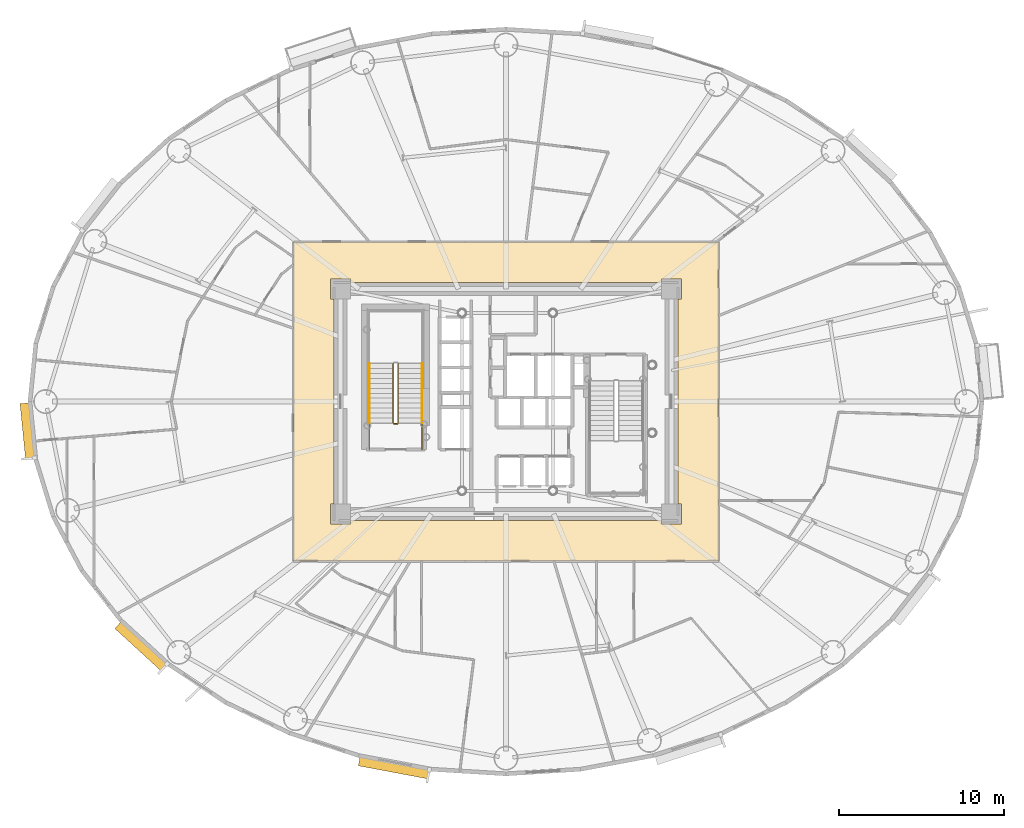
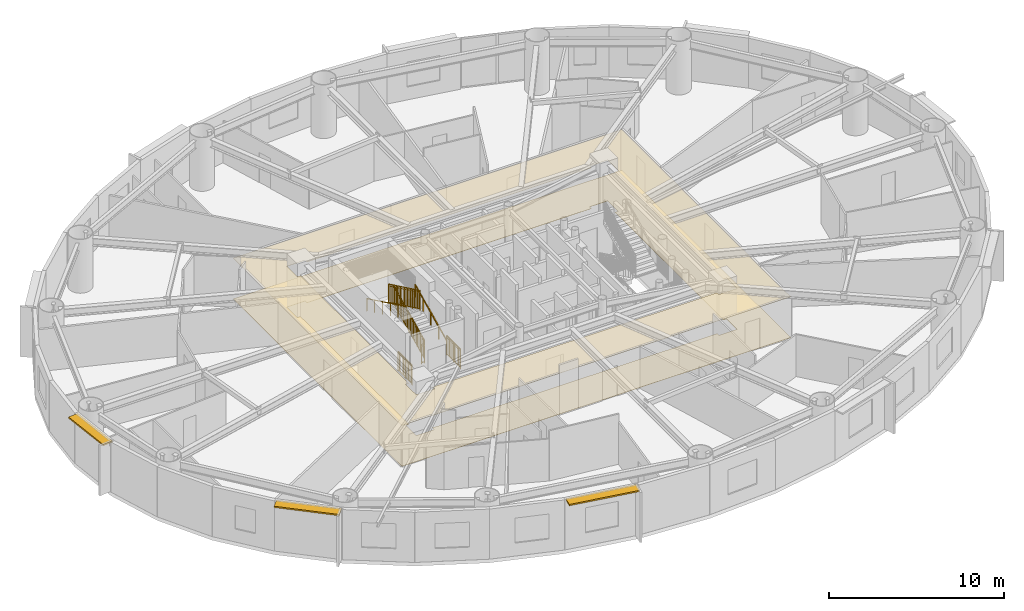
# One storey, part 16 of 21: 7 railings, 3 shading devices, 2 coverings.
"""IFC4 building model written with IfcOpenShell, lengths in metres."""

from ifc_helpers import new_model, si_unit, direction, frame, origin, origin_2d, place, context, subcontext, project, spatial, polyline, rectangle, outline, extrude, source, transform, mapped, material, layer, layer_set, type_object, element, save


model = new_model("IFC4")

# Units and contexts
model_context = context("Model", 3, precision=1e-05, world=origin(), true_north=direction((0.0, 1.0)))
body_context = subcontext(model_context, "Body", "Model", "MODEL_VIEW")
ifc_project = project(units=[si_unit("LENGTHUNIT", "METRE"), si_unit("AREAUNIT", "SQUARE_METRE"), si_unit("VOLUMEUNIT", "CUBIC_METRE"), si_unit("PLANEANGLEUNIT", "RADIAN"), si_unit("MASSUNIT", "GRAM", prefix="KILO")], contexts=[model_context])

# Site, building, storey
site_placement = place(None, origin())
site = spatial("IfcSite", under=ifc_project, at=site_placement, CompositionType="ELEMENT")
building_placement = place(site_placement, origin())
building = spatial("IfcBuilding", under=site, at=building_placement, Name="Linh Dai School and Residence Tower", CompositionType="ELEMENT")
storey_placement = place(building_placement, frame((0.0, 0.0, 97.199951171875)))
storey = spatial("IfcBuildingStorey", under=building, at=storey_placement, Name="L22", CompositionType="ELEMENT", Elevation=97.199951171875)

# Coverings
ifc_material_1 = material(Name="Mineral Fibre Acoustic Suspended Ceiling", Category="masonry")
ifc_layer_1 = layer(ifc_material_1, 0.02001953125)
ifc_layer_set_1 = layer_set([ifc_layer_1], Name="Mineral Fibre Acoustic Suspended Ceiling")
covering_type_1 = type_object("IfcCoveringType", Name="COV-CEIL-AC-20", PredefinedType="CEILING", material=ifc_layer_set_1)
covering_1_placement = place(storey_placement, frame((0.0, 0.0, 2.85009765625)))
element("IfcCovering", 1, at=covering_1_placement, inside=storey, type_object=covering_type_1, Name="L22 Residential Floor Corridor Suspended Ceiling", PredefinedType="CEILING", context=body_context, shape_type="SweptSolid", body=[
    extrude(outline(polyline([(48.85009765625, 36.64990234375), (48.85009765625, 17.35009765625), (23.14990234375, 17.35009765625), (23.14990234375, 36.64990234375), (48.85009765625, 36.64990234375)]), holes=[polyline([(26.60009765625, 34.199951171875), (26.60009765625, 34.39990234375), (25.39990234375, 34.39990234375), (25.39990234375, 33.199951171875), (25.60009765625, 33.199951171875), (25.60009765625, 20.800048828125), (25.39990234375, 20.800048828125), (25.39990234375, 19.60009765625), (26.60009765625, 19.60009765625), (26.60009765625, 19.800048828125), (45.39990234375, 19.800048828125), (45.39990234375, 19.60009765625), (46.60009765625, 19.60009765625), (46.60009765625, 20.800048828125), (46.39990234375, 20.800048828125), (46.39990234375, 33.199951171875), (46.60009765625, 33.199951171875), (46.60009765625, 34.39990234375), (45.39990234375, 34.39990234375), (45.39990234375, 34.199951171875), (26.60009765625, 34.199951171875)])]), origin(), (0.0, 0.0, 1.0), 0.02001953125),
])
ifc_material_2 = material(Name="Polished Terrazzo Floor Finish", Category="masonry")
ifc_layer_2 = layer(ifc_material_2, 0.02490234375)
ifc_layer_set_2 = layer_set([ifc_layer_2], Name="Polished Terrazzo Floor Finish")
covering_type_2 = type_object("IfcCoveringType", Name="COV-FLR-TRZ-25", PredefinedType="FLOORING", material=ifc_layer_set_2)
covering_2_placement = place(storey_placement, origin())
element("IfcCovering", 2, at=covering_2_placement, inside=storey, type_object=covering_type_2, Name="L22 Residential Floor Corridor Floor Finish", PredefinedType="FLOORING", context=body_context, shape_type="SweptSolid", body=[
    extrude(outline(polyline([(48.85009765625, 36.64990234375), (48.85009765625, 17.35009765625), (23.14990234375, 17.35009765625), (23.14990234375, 36.64990234375), (48.85009765625, 36.64990234375)]), holes=[polyline([(26.60009765625, 34.199951171875), (26.60009765625, 34.39990234375), (25.39990234375, 34.39990234375), (25.39990234375, 33.199951171875), (25.60009765625, 33.199951171875), (25.60009765625, 20.800048828125), (25.39990234375, 20.800048828125), (25.39990234375, 19.60009765625), (26.60009765625, 19.60009765625), (26.60009765625, 19.800048828125), (45.39990234375, 19.800048828125), (45.39990234375, 19.60009765625), (46.60009765625, 19.60009765625), (46.60009765625, 20.800048828125), (46.39990234375, 20.800048828125), (46.39990234375, 33.199951171875), (46.60009765625, 33.199951171875), (46.60009765625, 34.39990234375), (45.39990234375, 34.39990234375), (45.39990234375, 34.199951171875), (26.60009765625, 34.199951171875)])]), origin(), (0.0, 0.0, 1.0), 0.02001953125),
])

# Shading devices
ifc_material_3 = material(Name="Terracotta Ceramic Sunshade", Category="masonry")
ifc_layer_3 = layer(ifc_material_3, 0.10009765625)
ifc_layer_set_3 = layer_set([ifc_layer_3], Name="Terracotta Ceramic Sunshade")
shading_device_type = type_object("IfcShadingDeviceType", Name="SHD-TC-650", PredefinedType="USERDEFINED", material=ifc_layer_set_3)
shared_shape_1 = source(origin(), body_context, "Body", "SweptSolid", [
    extrude(rectangle(XDim=3.3916015625, YDim=0.64990234375, at=origin_2d()), origin(), (0.0, 0.0, 1.0), 0.10009765625),
])
shading_device_1_placement = place(storey_placement, frame((7.1181640625, 25.2138671875, 3.3798828125), z_axis=(0.0, 0.0, 1.0), x_axis=(-0.100007297192, 0.994986703684, 0.0)))
element("IfcShadingDevice", 3, at=shading_device_1_placement, inside=storey, type_object=shading_device_type, Name="L22 Terracotta Horizontal Sunshade Band 21", ObjectType="SUNSHADE", PredefinedType="USERDEFINED", context=body_context, shape_type="MappedRepresentation", body=[
    mapped(shared_shape_1, transform((0.0, 0.0, 0.0), x_axis=(1.0, 0.0, 0.0), y_axis=(0.0, 1.0, 0.0), z_axis=(0.0, 0.0, 1.0), scale=1.0)),
])
shared_shape_2 = source(origin(), body_context, "Body", "SweptSolid", [
    extrude(rectangle(XDim=3.81689453125, YDim=0.64990234375, at=origin_2d()), origin(), (0.0, 0.0, 1.0), 0.10009765625),
])
shading_device_2_placement = place(storey_placement, frame((13.983642578125, 12.22998046875, 3.3798828125), z_axis=(0.0, 0.0, 1.0), x_axis=(-0.737100266172, 0.675783395482, 0.0)))
element("IfcShadingDevice", 4, at=shading_device_2_placement, inside=storey, type_object=shading_device_type, Name="L22 Terracotta Horizontal Sunshade Band 25", ObjectType="SUNSHADE", PredefinedType="USERDEFINED", context=body_context, shape_type="MappedRepresentation", body=[
    mapped(shared_shape_2, transform((0.0, 0.0, 0.0), x_axis=(1.0, 0.0, 0.0), y_axis=(0.0, 1.0, 0.0), z_axis=(0.0, 0.0, 1.0), scale=1.0)),
])
shared_shape_3 = source(origin(), body_context, "Body", "SweptSolid", [
    extrude(rectangle(XDim=4.292236328125, YDim=0.64990234375, at=origin_2d()), origin(), (0.0, 0.0, 1.0), 0.10009765625),
])
shading_device_3_placement = place(storey_placement, frame((29.24462890625, 4.905517578125, 3.3798828125), z_axis=(0.0, 0.0, 1.0), x_axis=(-0.982784673718, 0.18475466193, 0.0)))
element("IfcShadingDevice", 5, at=shading_device_3_placement, inside=storey, type_object=shading_device_type, Name="L22 Terracotta Horizontal Sunshade Band 29", ObjectType="SUNSHADE", PredefinedType="USERDEFINED", context=body_context, shape_type="MappedRepresentation", body=[
    mapped(shared_shape_3, transform((0.0, 0.0, 0.0), x_axis=(1.0, 0.0, 0.0), y_axis=(0.0, 1.0, 0.0), z_axis=(0.0, 0.0, 1.0), scale=1.0)),
])

# Railings
ifc_material_4 = material(Name="Structural Steel S355JR", Category="steel")
railing_type_1 = type_object("IfcRailingType", Name="RL-ST-GUARD-1400", PredefinedType="GUARDRAIL", material=ifc_material_4)
shared_shape_4 = source(origin(), body_context, "Body", "SweptSolid", [
    extrude(rectangle(XDim=0.048095703125, YDim=0.048095703125, at=origin_2d()), frame((0.0, 0.0, 1.3759765625), z_axis=(-1.0, 0.0, 0.0), x_axis=(0.0, -1.0, 0.0)), (0.0, 0.0, 1.0), 0.199951171875),
    extrude(rectangle(XDim=0.048095703125, YDim=0.048095703125, at=origin_2d()), frame((0.0, 0.0, 0.10009765625), z_axis=(-1.0, 0.0, 0.0), x_axis=(0.0, -1.0, 0.0)), (0.0, 0.0, 1.0), 0.199951171875),
    extrude(rectangle(XDim=0.030029296875, YDim=0.030029296875, at=origin_2d()), frame((0.0, 0.0, 1.239990234375), z_axis=(-1.0, 0.0, 0.0), x_axis=(0.0, -1.0, 0.0)), (0.0, 0.0, 1.0), 0.199951171875),
    extrude(rectangle(XDim=0.0419921875, YDim=0.0419921875, at=origin_2d()), origin(), (0.0, 0.0, 1.0), 1.3759765625),
    extrude(rectangle(XDim=0.0419921875, YDim=0.0419921875, at=origin_2d()), frame((-0.199951171875, 0.0, 0.0)), (0.0, 0.0, 1.0), 1.3759765625),
])
railing_1_placement = place(storey_placement, frame((29.429931640625, 25.64990234375, 0.0)))
element("IfcRailing", 6, at=railing_1_placement, inside=storey, type_object=railing_type_1, Name="L22 ST1 stair guard 7", PredefinedType="GUARDRAIL", context=body_context, shape_type="MappedRepresentation", body=[
    mapped(shared_shape_4, transform((0.0, 0.0, 0.0), x_axis=(1.0, 0.0, 0.0), y_axis=(0.0, 1.0, 0.0), z_axis=(0.0, 0.0, 1.0), scale=1.0)),
])
shared_shape_5 = source(origin(), body_context, "Body", "SweptSolid", [
    extrude(rectangle(XDim=0.048095703125, YDim=0.048095703125, at=origin_2d()), frame((0.0, 0.0, 1.3759765625), z_axis=(0.0, 1.0, 0.0), x_axis=(-1.0, 0.0, 0.0)), (0.0, 0.0, 1.0), 1.599853515625),
    extrude(rectangle(XDim=0.048095703125, YDim=0.048095703125, at=origin_2d()), frame((0.0, 0.0, 0.10009765625), z_axis=(0.0, 1.0, 0.0), x_axis=(-1.0, 0.0, 0.0)), (0.0, 0.0, 1.0), 1.599853515625),
    extrude(rectangle(XDim=0.030029296875, YDim=0.030029296875, at=origin_2d()), frame((0.0, 0.0, 1.239990234375), z_axis=(0.0, 1.0, 0.0), x_axis=(-1.0, 0.0, 0.0)), (0.0, 0.0, 1.0), 1.599853515625),
    extrude(rectangle(XDim=0.02001953125, YDim=0.02001953125, at=origin_2d()), frame((0.0, 0.093994140625, 0.10009765625)), (0.0, 0.0, 1.0), 1.251708984375),
    extrude(rectangle(XDim=0.02001953125, YDim=0.02001953125, at=origin_2d()), frame((0.0, 0.188232421875, 0.10009765625)), (0.0, 0.0, 1.0), 1.251708984375),
    extrude(rectangle(XDim=0.02001953125, YDim=0.02001953125, at=origin_2d()), frame((0.0, 0.2822265625, 0.10009765625)), (0.0, 0.0, 1.0), 1.251708984375),
    extrude(rectangle(XDim=0.02001953125, YDim=0.02001953125, at=origin_2d()), frame((0.0, 0.37646484375, 0.10009765625)), (0.0, 0.0, 1.0), 1.251708984375),
    extrude(rectangle(XDim=0.02001953125, YDim=0.02001953125, at=origin_2d()), frame((0.0, 0.470458984375, 0.10009765625)), (0.0, 0.0, 1.0), 1.251708984375),
    extrude(rectangle(XDim=0.02001953125, YDim=0.02001953125, at=origin_2d()), frame((0.0, 0.564697265625, 0.10009765625)), (0.0, 0.0, 1.0), 1.251708984375),
    extrude(rectangle(XDim=0.02001953125, YDim=0.02001953125, at=origin_2d()), frame((0.0, 0.65869140625, 0.10009765625)), (0.0, 0.0, 1.0), 1.251708984375),
    extrude(rectangle(XDim=0.02001953125, YDim=0.02001953125, at=origin_2d()), frame((0.0, 0.7529296875, 0.10009765625)), (0.0, 0.0, 1.0), 1.251708984375),
    extrude(rectangle(XDim=0.02001953125, YDim=0.02001953125, at=origin_2d()), frame((0.0, 0.846923828125, 0.10009765625)), (0.0, 0.0, 1.0), 1.251708984375),
    extrude(rectangle(XDim=0.02001953125, YDim=0.02001953125, at=origin_2d()), frame((0.0, 0.941162109375, 0.10009765625)), (0.0, 0.0, 1.0), 1.251708984375),
    extrude(rectangle(XDim=0.02001953125, YDim=0.02001953125, at=origin_2d()), frame((0.0, 1.03515625, 0.10009765625)), (0.0, 0.0, 1.0), 1.251708984375),
    extrude(rectangle(XDim=0.02001953125, YDim=0.02001953125, at=origin_2d()), frame((0.0, 1.12939453125, 0.10009765625)), (0.0, 0.0, 1.0), 1.251708984375),
    extrude(rectangle(XDim=0.02001953125, YDim=0.02001953125, at=origin_2d()), frame((0.0, 1.223388671875, 0.10009765625)), (0.0, 0.0, 1.0), 1.251708984375),
    extrude(rectangle(XDim=0.02001953125, YDim=0.02001953125, at=origin_2d()), frame((0.0, 1.317626953125, 0.10009765625)), (0.0, 0.0, 1.0), 1.251708984375),
    extrude(rectangle(XDim=0.02001953125, YDim=0.02001953125, at=origin_2d()), frame((0.0, 1.41162109375, 0.10009765625)), (0.0, 0.0, 1.0), 1.251708984375),
    extrude(rectangle(XDim=0.02001953125, YDim=0.02001953125, at=origin_2d()), frame((0.0, 1.505859375, 0.10009765625)), (0.0, 0.0, 1.0), 1.251708984375),
    extrude(rectangle(XDim=0.0419921875, YDim=0.0419921875, at=origin_2d()), origin(), (0.0, 0.0, 1.0), 1.3759765625),
    extrude(rectangle(XDim=0.0419921875, YDim=0.0419921875, at=origin_2d()), frame((0.0, 0.7998046875, 0.0)), (0.0, 0.0, 1.0), 1.3759765625),
    extrude(rectangle(XDim=0.0419921875, YDim=0.0419921875, at=origin_2d()), frame((0.0, 1.599853515625, 0.0)), (0.0, 0.0, 1.0), 1.3759765625),
])
for number, where, name in (
    (7, (30.929931640625, 24.10009765625, 0.0), "L22 ST1 stair guard 8"),
    (8, (27.72998046875, 24.10009765625, 0.0), "L22 ST1 stair guard 9"),
):
    element("IfcRailing", number, at=place(storey_placement, frame(where)), inside=storey, type_object=railing_type_1, Name=name, PredefinedType="GUARDRAIL", context=body_context, shape_type="MappedRepresentation", body=[
        mapped(shared_shape_5, transform((0.0, 0.0, 0.0), x_axis=(1.0, 0.0, 0.0), y_axis=(0.0, 1.0, 0.0), z_axis=(0.0, 0.0, 1.0), scale=1.0)),
    ])
shared_shape_6 = source(origin(), body_context, "Body", "SweptSolid", [
    extrude(rectangle(XDim=0.048095703125, YDim=0.048095703125, at=origin_2d()), frame((0.0, 0.0, 1.3759765625), z_axis=(0.0, 0.901262522062, 0.433273431364), x_axis=(-1.0, 0.0, 0.0)), (0.0, 0.0, 1.0), 3.994384765625),
    extrude(rectangle(XDim=0.048095703125, YDim=0.048095703125, at=origin_2d()), frame((0.0, 0.0, 0.10009765625), z_axis=(0.0, 0.901262522062, 0.433273431364), x_axis=(-1.0, 0.0, 0.0)), (0.0, 0.0, 1.0), 3.994384765625),
    extrude(rectangle(XDim=0.030029296875, YDim=0.030029296875, at=origin_2d()), frame((0.0, 0.0, 1.239990234375), z_axis=(0.0, 0.901262522062, 0.433273431364), x_axis=(-1.0, 0.0, 0.0)), (0.0, 0.0, 1.0), 3.994384765625),
    extrude(rectangle(XDim=0.02001953125, YDim=0.02001953125, at=origin_2d()), frame((0.0, 0.087890625, 0.142333984375)), (0.0, 0.0, 1.0), 1.251708984375),
    extrude(rectangle(XDim=0.02001953125, YDim=0.02001953125, at=origin_2d()), frame((0.0, 0.175537109375, 0.1845703125)), (0.0, 0.0, 1.0), 1.251708984375),
    extrude(rectangle(XDim=0.02001953125, YDim=0.02001953125, at=origin_2d()), frame((0.0, 0.263427734375, 0.226806640625)), (0.0, 0.0, 1.0), 1.251708984375),
    extrude(rectangle(XDim=0.02001953125, YDim=0.02001953125, at=origin_2d()), frame((0.0, 0.351318359375, 0.26904296875)), (0.0, 0.0, 1.0), 1.251708984375),
    extrude(rectangle(XDim=0.02001953125, YDim=0.02001953125, at=origin_2d()), frame((0.0, 0.43896484375, 0.311279296875)), (0.0, 0.0, 1.0), 1.251708984375),
    extrude(rectangle(XDim=0.02001953125, YDim=0.02001953125, at=origin_2d()), frame((0.0, 0.52685546875, 0.353271484375)), (0.0, 0.0, 1.0), 1.251708984375),
    extrude(rectangle(XDim=0.02001953125, YDim=0.02001953125, at=origin_2d()), frame((0.0, 0.61474609375, 0.3955078125)), (0.0, 0.0, 1.0), 1.251708984375),
    extrude(rectangle(XDim=0.02001953125, YDim=0.02001953125, at=origin_2d()), frame((0.0, 0.702392578125, 0.437744140625)), (0.0, 0.0, 1.0), 1.251708984375),
    extrude(rectangle(XDim=0.02001953125, YDim=0.02001953125, at=origin_2d()), frame((0.0, 0.790283203125, 0.47998046875)), (0.0, 0.0, 1.0), 1.251708984375),
    extrude(rectangle(XDim=0.02001953125, YDim=0.02001953125, at=origin_2d()), frame((0.0, 0.9658203125, 0.564453125)), (0.0, 0.0, 1.0), 1.251708984375),
    extrude(rectangle(XDim=0.02001953125, YDim=0.02001953125, at=origin_2d()), frame((0.0, 1.0537109375, 0.606689453125)), (0.0, 0.0, 1.0), 1.251708984375),
    extrude(rectangle(XDim=0.02001953125, YDim=0.02001953125, at=origin_2d()), frame((0.0, 1.1416015625, 0.64892578125)), (0.0, 0.0, 1.0), 1.251708984375),
    extrude(rectangle(XDim=0.02001953125, YDim=0.02001953125, at=origin_2d()), frame((0.0, 1.229248046875, 0.691162109375)), (0.0, 0.0, 1.0), 1.251708984375),
    extrude(rectangle(XDim=0.02001953125, YDim=0.02001953125, at=origin_2d()), frame((0.0, 1.317138671875, 0.7333984375)), (0.0, 0.0, 1.0), 1.251708984375),
    extrude(rectangle(XDim=0.02001953125, YDim=0.02001953125, at=origin_2d()), frame((0.0, 1.405029296875, 0.775390625)), (0.0, 0.0, 1.0), 1.251708984375),
    extrude(rectangle(XDim=0.02001953125, YDim=0.02001953125, at=origin_2d()), frame((0.0, 1.49267578125, 0.817626953125)), (0.0, 0.0, 1.0), 1.251708984375),
    extrude(rectangle(XDim=0.02001953125, YDim=0.02001953125, at=origin_2d()), frame((0.0, 1.58056640625, 0.85986328125)), (0.0, 0.0, 1.0), 1.251708984375),
    extrude(rectangle(XDim=0.02001953125, YDim=0.02001953125, at=origin_2d()), frame((0.0, 1.66845703125, 0.902099609375)), (0.0, 0.0, 1.0), 1.251708984375),
    extrude(rectangle(XDim=0.02001953125, YDim=0.02001953125, at=origin_2d()), frame((0.0, 1.756103515625, 0.9443359375)), (0.0, 0.0, 1.0), 1.251708984375),
    extrude(rectangle(XDim=0.02001953125, YDim=0.02001953125, at=origin_2d()), frame((0.0, 1.843994140625, 0.986572265625)), (0.0, 0.0, 1.0), 1.251708984375),
    extrude(rectangle(XDim=0.02001953125, YDim=0.02001953125, at=origin_2d()), frame((0.0, 1.931640625, 1.02880859375)), (0.0, 0.0, 1.0), 1.251708984375),
    extrude(rectangle(XDim=0.02001953125, YDim=0.02001953125, at=origin_2d()), frame((0.0, 2.01953125, 1.071044921875)), (0.0, 0.0, 1.0), 1.251708984375),
    extrude(rectangle(XDim=0.02001953125, YDim=0.02001953125, at=origin_2d()), frame((0.0, 2.107421875, 1.11328125)), (0.0, 0.0, 1.0), 1.251708984375),
    extrude(rectangle(XDim=0.02001953125, YDim=0.02001953125, at=origin_2d()), frame((0.0, 2.195068359375, 1.155517578125)), (0.0, 0.0, 1.0), 1.251708984375),
    extrude(rectangle(XDim=0.02001953125, YDim=0.02001953125, at=origin_2d()), frame((0.0, 2.282958984375, 1.197509765625)), (0.0, 0.0, 1.0), 1.251708984375),
    extrude(rectangle(XDim=0.02001953125, YDim=0.02001953125, at=origin_2d()), frame((0.0, 2.370849609375, 1.23974609375)), (0.0, 0.0, 1.0), 1.251708984375),
    extrude(rectangle(XDim=0.02001953125, YDim=0.02001953125, at=origin_2d()), frame((0.0, 2.45849609375, 1.281982421875)), (0.0, 0.0, 1.0), 1.251708984375),
    extrude(rectangle(XDim=0.02001953125, YDim=0.02001953125, at=origin_2d()), frame((0.0, 2.54638671875, 1.32421875)), (0.0, 0.0, 1.0), 1.251708984375),
    extrude(rectangle(XDim=0.02001953125, YDim=0.02001953125, at=origin_2d()), frame((0.0, 2.63427734375, 1.366455078125)), (0.0, 0.0, 1.0), 1.251708984375),
    extrude(rectangle(XDim=0.02001953125, YDim=0.02001953125, at=origin_2d()), frame((0.0, 2.809814453125, 1.450927734375)), (0.0, 0.0, 1.0), 1.251708984375),
    extrude(rectangle(XDim=0.02001953125, YDim=0.02001953125, at=origin_2d()), frame((0.0, 2.897705078125, 1.4931640625)), (0.0, 0.0, 1.0), 1.251708984375),
    extrude(rectangle(XDim=0.02001953125, YDim=0.02001953125, at=origin_2d()), frame((0.0, 2.9853515625, 1.535400390625)), (0.0, 0.0, 1.0), 1.251708984375),
    extrude(rectangle(XDim=0.02001953125, YDim=0.02001953125, at=origin_2d()), frame((0.0, 3.0732421875, 1.57763671875)), (0.0, 0.0, 1.0), 1.251708984375),
    extrude(rectangle(XDim=0.02001953125, YDim=0.02001953125, at=origin_2d()), frame((0.0, 3.1611328125, 1.61962890625)), (0.0, 0.0, 1.0), 1.251708984375),
    extrude(rectangle(XDim=0.02001953125, YDim=0.02001953125, at=origin_2d()), frame((0.0, 3.248779296875, 1.661865234375)), (0.0, 0.0, 1.0), 1.251708984375),
    extrude(rectangle(XDim=0.02001953125, YDim=0.02001953125, at=origin_2d()), frame((0.0, 3.336669921875, 1.7041015625)), (0.0, 0.0, 1.0), 1.251708984375),
    extrude(rectangle(XDim=0.02001953125, YDim=0.02001953125, at=origin_2d()), frame((0.0, 3.424560546875, 1.746337890625)), (0.0, 0.0, 1.0), 1.251708984375),
    extrude(rectangle(XDim=0.02001953125, YDim=0.02001953125, at=origin_2d()), frame((0.0, 3.51220703125, 1.78857421875)), (0.0, 0.0, 1.0), 1.251708984375),
    extrude(rectangle(XDim=0.0419921875, YDim=0.0419921875, at=origin_2d()), origin(), (0.0, 0.0, 1.0), 1.3759765625),
    extrude(rectangle(XDim=0.0419921875, YDim=0.0419921875, at=origin_2d()), frame((0.0, 0.89990234375, 0.4326171875)), (0.0, 0.0, 1.0), 1.3759765625),
    extrude(rectangle(XDim=0.0419921875, YDim=0.0419921875, at=origin_2d()), frame((0.0, 1.800048828125, 0.865234375)), (0.0, 0.0, 1.0), 1.3759765625),
    extrude(rectangle(XDim=0.0419921875, YDim=0.0419921875, at=origin_2d()), frame((0.0, 2.7001953125, 1.298095703125)), (0.0, 0.0, 1.0), 1.3759765625),
    extrude(rectangle(XDim=0.0419921875, YDim=0.0419921875, at=origin_2d()), frame((0.0, 3.60009765625, 1.730712890625)), (0.0, 0.0, 1.0), 1.3759765625),
])
railing_2_placement = place(storey_placement, frame((29.47998046875, 25.699951171875, 0.144287109375)))
element("IfcRailing", 9, at=railing_2_placement, inside=storey, type_object=railing_type_1, Name="L22 ST1 stair guard 1", PredefinedType="GUARDRAIL", context=body_context, shape_type="MappedRepresentation", body=[
    mapped(shared_shape_6, transform((0.0, 0.0, 0.0), x_axis=(1.0, 0.0, 0.0), y_axis=(0.0, 1.0, 0.0), z_axis=(0.0, 0.0, 1.0), scale=1.0)),
])
shared_shape_7 = source(origin(), body_context, "Body", "SweptSolid", [
    extrude(rectangle(XDim=0.048095703125, YDim=0.048095703125, at=origin_2d()), frame((0.0, 0.0, 1.3759765625), z_axis=(0.0, -0.901262522062, 0.433273431364), x_axis=(1.0, 0.0, 0.0)), (0.0, 0.0, 1.0), 3.994384765625),
    extrude(rectangle(XDim=0.048095703125, YDim=0.048095703125, at=origin_2d()), frame((0.0, 0.0, 0.10009765625), z_axis=(0.0, -0.901262522062, 0.433273431364), x_axis=(1.0, 0.0, 0.0)), (0.0, 0.0, 1.0), 3.994384765625),
    extrude(rectangle(XDim=0.030029296875, YDim=0.030029296875, at=origin_2d()), frame((0.0, 0.0, 1.239990234375), z_axis=(0.0, -0.901262522062, 0.433273431364), x_axis=(1.0, 0.0, 0.0)), (0.0, 0.0, 1.0), 3.994384765625),
    extrude(rectangle(XDim=0.02001953125, YDim=0.02001953125, at=origin_2d()), frame((0.0, -0.087890625, 0.142333984375)), (0.0, 0.0, 1.0), 1.251708984375),
    extrude(rectangle(XDim=0.02001953125, YDim=0.02001953125, at=origin_2d()), frame((0.0, -0.175537109375, 0.1845703125)), (0.0, 0.0, 1.0), 1.251708984375),
    extrude(rectangle(XDim=0.02001953125, YDim=0.02001953125, at=origin_2d()), frame((0.0, -0.263427734375, 0.226806640625)), (0.0, 0.0, 1.0), 1.251708984375),
    extrude(rectangle(XDim=0.02001953125, YDim=0.02001953125, at=origin_2d()), frame((0.0, -0.351318359375, 0.26904296875)), (0.0, 0.0, 1.0), 1.251708984375),
    extrude(rectangle(XDim=0.02001953125, YDim=0.02001953125, at=origin_2d()), frame((0.0, -0.43896484375, 0.311279296875)), (0.0, 0.0, 1.0), 1.251708984375),
    extrude(rectangle(XDim=0.02001953125, YDim=0.02001953125, at=origin_2d()), frame((0.0, -0.52685546875, 0.353271484375)), (0.0, 0.0, 1.0), 1.251708984375),
    extrude(rectangle(XDim=0.02001953125, YDim=0.02001953125, at=origin_2d()), frame((0.0, -0.61474609375, 0.3955078125)), (0.0, 0.0, 1.0), 1.251708984375),
    extrude(rectangle(XDim=0.02001953125, YDim=0.02001953125, at=origin_2d()), frame((0.0, -0.702392578125, 0.437744140625)), (0.0, 0.0, 1.0), 1.251708984375),
    extrude(rectangle(XDim=0.02001953125, YDim=0.02001953125, at=origin_2d()), frame((0.0, -0.790283203125, 0.47998046875)), (0.0, 0.0, 1.0), 1.251708984375),
    extrude(rectangle(XDim=0.02001953125, YDim=0.02001953125, at=origin_2d()), frame((0.0, -0.9658203125, 0.564453125)), (0.0, 0.0, 1.0), 1.251708984375),
    extrude(rectangle(XDim=0.02001953125, YDim=0.02001953125, at=origin_2d()), frame((0.0, -1.0537109375, 0.606689453125)), (0.0, 0.0, 1.0), 1.251708984375),
    extrude(rectangle(XDim=0.02001953125, YDim=0.02001953125, at=origin_2d()), frame((0.0, -1.1416015625, 0.64892578125)), (0.0, 0.0, 1.0), 1.251708984375),
    extrude(rectangle(XDim=0.02001953125, YDim=0.02001953125, at=origin_2d()), frame((0.0, -1.229248046875, 0.691162109375)), (0.0, 0.0, 1.0), 1.251708984375),
    extrude(rectangle(XDim=0.02001953125, YDim=0.02001953125, at=origin_2d()), frame((0.0, -1.317138671875, 0.7333984375)), (0.0, 0.0, 1.0), 1.251708984375),
    extrude(rectangle(XDim=0.02001953125, YDim=0.02001953125, at=origin_2d()), frame((0.0, -1.405029296875, 0.775390625)), (0.0, 0.0, 1.0), 1.251708984375),
    extrude(rectangle(XDim=0.02001953125, YDim=0.02001953125, at=origin_2d()), frame((0.0, -1.49267578125, 0.817626953125)), (0.0, 0.0, 1.0), 1.251708984375),
    extrude(rectangle(XDim=0.02001953125, YDim=0.02001953125, at=origin_2d()), frame((0.0, -1.58056640625, 0.85986328125)), (0.0, 0.0, 1.0), 1.251708984375),
    extrude(rectangle(XDim=0.02001953125, YDim=0.02001953125, at=origin_2d()), frame((0.0, -1.66845703125, 0.902099609375)), (0.0, 0.0, 1.0), 1.251708984375),
    extrude(rectangle(XDim=0.02001953125, YDim=0.02001953125, at=origin_2d()), frame((0.0, -1.756103515625, 0.9443359375)), (0.0, 0.0, 1.0), 1.251708984375),
    extrude(rectangle(XDim=0.02001953125, YDim=0.02001953125, at=origin_2d()), frame((0.0, -1.843994140625, 0.986572265625)), (0.0, 0.0, 1.0), 1.251708984375),
    extrude(rectangle(XDim=0.02001953125, YDim=0.02001953125, at=origin_2d()), frame((0.0, -1.931640625, 1.02880859375)), (0.0, 0.0, 1.0), 1.251708984375),
    extrude(rectangle(XDim=0.02001953125, YDim=0.02001953125, at=origin_2d()), frame((0.0, -2.01953125, 1.071044921875)), (0.0, 0.0, 1.0), 1.251708984375),
    extrude(rectangle(XDim=0.02001953125, YDim=0.02001953125, at=origin_2d()), frame((0.0, -2.107421875, 1.11328125)), (0.0, 0.0, 1.0), 1.251708984375),
    extrude(rectangle(XDim=0.02001953125, YDim=0.02001953125, at=origin_2d()), frame((0.0, -2.195068359375, 1.155517578125)), (0.0, 0.0, 1.0), 1.251708984375),
    extrude(rectangle(XDim=0.02001953125, YDim=0.02001953125, at=origin_2d()), frame((0.0, -2.282958984375, 1.197509765625)), (0.0, 0.0, 1.0), 1.251708984375),
    extrude(rectangle(XDim=0.02001953125, YDim=0.02001953125, at=origin_2d()), frame((0.0, -2.370849609375, 1.23974609375)), (0.0, 0.0, 1.0), 1.251708984375),
    extrude(rectangle(XDim=0.02001953125, YDim=0.02001953125, at=origin_2d()), frame((0.0, -2.45849609375, 1.281982421875)), (0.0, 0.0, 1.0), 1.251708984375),
    extrude(rectangle(XDim=0.02001953125, YDim=0.02001953125, at=origin_2d()), frame((0.0, -2.54638671875, 1.32421875)), (0.0, 0.0, 1.0), 1.251708984375),
    extrude(rectangle(XDim=0.02001953125, YDim=0.02001953125, at=origin_2d()), frame((0.0, -2.63427734375, 1.366455078125)), (0.0, 0.0, 1.0), 1.251708984375),
    extrude(rectangle(XDim=0.02001953125, YDim=0.02001953125, at=origin_2d()), frame((0.0, -2.809814453125, 1.450927734375)), (0.0, 0.0, 1.0), 1.251708984375),
    extrude(rectangle(XDim=0.02001953125, YDim=0.02001953125, at=origin_2d()), frame((0.0, -2.897705078125, 1.4931640625)), (0.0, 0.0, 1.0), 1.251708984375),
    extrude(rectangle(XDim=0.02001953125, YDim=0.02001953125, at=origin_2d()), frame((0.0, -2.9853515625, 1.535400390625)), (0.0, 0.0, 1.0), 1.251708984375),
    extrude(rectangle(XDim=0.02001953125, YDim=0.02001953125, at=origin_2d()), frame((0.0, -3.0732421875, 1.57763671875)), (0.0, 0.0, 1.0), 1.251708984375),
    extrude(rectangle(XDim=0.02001953125, YDim=0.02001953125, at=origin_2d()), frame((0.0, -3.1611328125, 1.61962890625)), (0.0, 0.0, 1.0), 1.251708984375),
    extrude(rectangle(XDim=0.02001953125, YDim=0.02001953125, at=origin_2d()), frame((0.0, -3.248779296875, 1.661865234375)), (0.0, 0.0, 1.0), 1.251708984375),
    extrude(rectangle(XDim=0.02001953125, YDim=0.02001953125, at=origin_2d()), frame((0.0, -3.336669921875, 1.7041015625)), (0.0, 0.0, 1.0), 1.251708984375),
    extrude(rectangle(XDim=0.02001953125, YDim=0.02001953125, at=origin_2d()), frame((0.0, -3.424560546875, 1.746337890625)), (0.0, 0.0, 1.0), 1.251708984375),
    extrude(rectangle(XDim=0.02001953125, YDim=0.02001953125, at=origin_2d()), frame((0.0, -3.51220703125, 1.78857421875)), (0.0, 0.0, 1.0), 1.251708984375),
    extrude(rectangle(XDim=0.0419921875, YDim=0.0419921875, at=origin_2d()), origin(), (0.0, 0.0, 1.0), 1.3759765625),
    extrude(rectangle(XDim=0.0419921875, YDim=0.0419921875, at=origin_2d()), frame((0.0, -0.89990234375, 0.4326171875)), (0.0, 0.0, 1.0), 1.3759765625),
    extrude(rectangle(XDim=0.0419921875, YDim=0.0419921875, at=origin_2d()), frame((0.0, -1.800048828125, 0.865234375)), (0.0, 0.0, 1.0), 1.3759765625),
    extrude(rectangle(XDim=0.0419921875, YDim=0.0419921875, at=origin_2d()), frame((0.0, -2.7001953125, 1.298095703125)), (0.0, 0.0, 1.0), 1.3759765625),
    extrude(rectangle(XDim=0.0419921875, YDim=0.0419921875, at=origin_2d()), frame((0.0, -3.60009765625, 1.730712890625)), (0.0, 0.0, 1.0), 1.3759765625),
])
railing_3_placement = place(storey_placement, frame((29.179931640625, 29.300048828125, 2.019287109375)))
element("IfcRailing", 10, at=railing_3_placement, inside=storey, type_object=railing_type_1, Name="L22 ST1 stair guard 6", PredefinedType="GUARDRAIL", context=body_context, shape_type="MappedRepresentation", body=[
    mapped(shared_shape_7, transform((0.0, 0.0, 0.0), x_axis=(1.0, 0.0, 0.0), y_axis=(0.0, 1.0, 0.0), z_axis=(0.0, 0.0, 1.0), scale=1.0)),
])
ifc_material_5 = material(Name="Brushed Stainless Steel Handrail", Category="steel")
railing_type_2 = type_object("IfcRailingType", Name="RL-ST-HANDRAIL-900", PredefinedType="HANDRAIL", material=ifc_material_5)
shared_shape_8 = source(origin(), body_context, "Body", "SweptSolid", [
    extrude(rectangle(XDim=0.048095703125, YDim=0.048095703125, at=origin_2d()), frame((0.0, 0.0, 0.8759765625), z_axis=(0.0, 0.901262522062, 0.433273431364), x_axis=(-1.0, 0.0, 0.0)), (0.0, 0.0, 1.0), 3.994384765625),
    extrude(rectangle(XDim=0.0419921875, YDim=0.0419921875, at=origin_2d()), origin(), (0.0, 0.0, 1.0), 0.8759765625),
    extrude(rectangle(XDim=0.0419921875, YDim=0.0419921875, at=origin_2d()), frame((0.0, 0.89990234375, 0.4326171875)), (0.0, 0.0, 1.0), 0.8759765625),
    extrude(rectangle(XDim=0.0419921875, YDim=0.0419921875, at=origin_2d()), frame((0.0, 1.800048828125, 0.865234375)), (0.0, 0.0, 1.0), 0.8759765625),
    extrude(rectangle(XDim=0.0419921875, YDim=0.0419921875, at=origin_2d()), frame((0.0, 2.7001953125, 1.298095703125)), (0.0, 0.0, 1.0), 0.8759765625),
    extrude(rectangle(XDim=0.0419921875, YDim=0.0419921875, at=origin_2d()), frame((0.0, 3.60009765625, 1.730712890625)), (0.0, 0.0, 1.0), 0.8759765625),
])
railing_4_placement = place(storey_placement, frame((30.929931640625, 25.699951171875, 0.144287109375)))
element("IfcRailing", 11, at=railing_4_placement, inside=storey, type_object=railing_type_2, Name="L22 ST1 stair handrail 1", PredefinedType="HANDRAIL", context=body_context, shape_type="MappedRepresentation", body=[
    mapped(shared_shape_8, transform((0.0, 0.0, 0.0), x_axis=(1.0, 0.0, 0.0), y_axis=(0.0, 1.0, 0.0), z_axis=(0.0, 0.0, 1.0), scale=1.0)),
])
shared_shape_9 = source(origin(), body_context, "Body", "SweptSolid", [
    extrude(rectangle(XDim=0.048095703125, YDim=0.048095703125, at=origin_2d()), frame((0.0, 0.0, 0.8759765625), z_axis=(0.0, -0.901262522062, 0.433273431364), x_axis=(1.0, 0.0, 0.0)), (0.0, 0.0, 1.0), 3.994384765625),
    extrude(rectangle(XDim=0.0419921875, YDim=0.0419921875, at=origin_2d()), origin(), (0.0, 0.0, 1.0), 0.8759765625),
    extrude(rectangle(XDim=0.0419921875, YDim=0.0419921875, at=origin_2d()), frame((0.0, -0.89990234375, 0.4326171875)), (0.0, 0.0, 1.0), 0.8759765625),
    extrude(rectangle(XDim=0.0419921875, YDim=0.0419921875, at=origin_2d()), frame((0.0, -1.800048828125, 0.865234375)), (0.0, 0.0, 1.0), 0.8759765625),
    extrude(rectangle(XDim=0.0419921875, YDim=0.0419921875, at=origin_2d()), frame((0.0, -2.7001953125, 1.298095703125)), (0.0, 0.0, 1.0), 0.8759765625),
    extrude(rectangle(XDim=0.0419921875, YDim=0.0419921875, at=origin_2d()), frame((0.0, -3.60009765625, 1.730712890625)), (0.0, 0.0, 1.0), 0.8759765625),
])
railing_5_placement = place(storey_placement, frame((27.72998046875, 29.300048828125, 2.019287109375)))
element("IfcRailing", 12, at=railing_5_placement, inside=storey, type_object=railing_type_2, Name="L22 ST1 stair handrail 2", PredefinedType="HANDRAIL", context=body_context, shape_type="MappedRepresentation", body=[
    mapped(shared_shape_9, transform((0.0, 0.0, 0.0), x_axis=(1.0, 0.0, 0.0), y_axis=(0.0, 1.0, 0.0), z_axis=(0.0, 0.0, 1.0), scale=1.0)),
])

save(model, "model.ifc")
